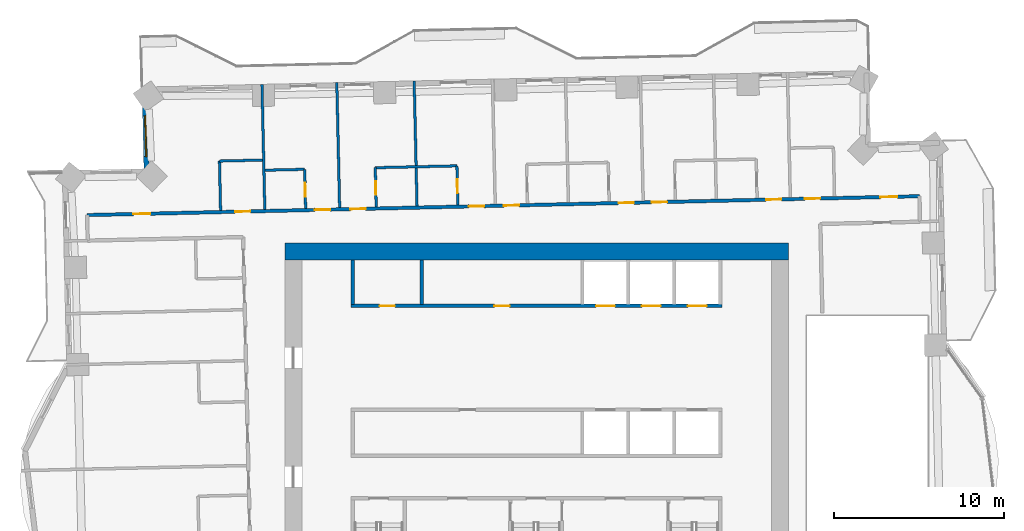
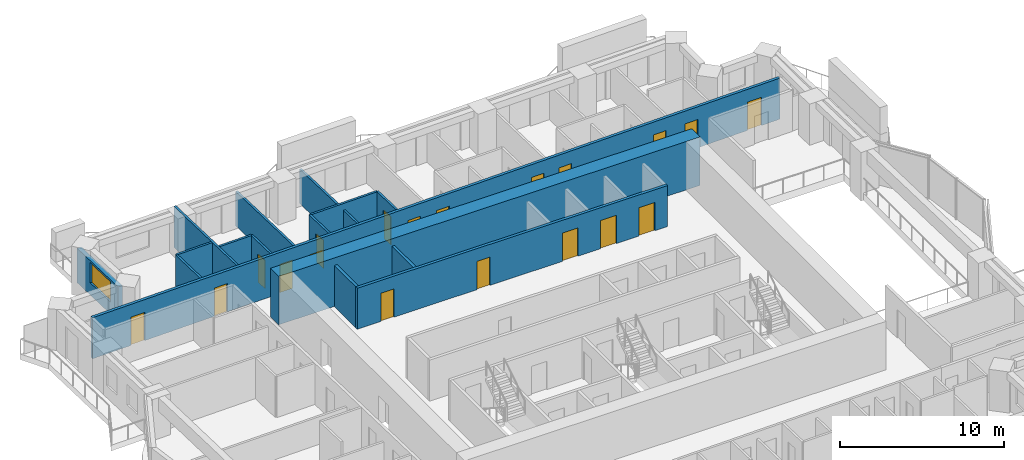
# One storey, part 10 of 16: 19 doors, 16 walls, 1 window, 20 openings.
"""IFC4 building model written with IfcOpenShell, lengths in metres."""

from ifc_helpers import new_model, si_unit, direction, frame, frame_2d, origin, place, context, subcontext, project, spatial, rectangle, extrude, material, layer, layer_set, type_object, element, fill, save


model = new_model("IFC4")

# Units and contexts
model_context = context("Model", 3, precision=1e-05, world=origin(), true_north=direction((0.0, 1.0)))
body_context = subcontext(model_context, "Body", "Model", "MODEL_VIEW")
ifc_project = project(units=[si_unit("LENGTHUNIT", "METRE"), si_unit("AREAUNIT", "SQUARE_METRE"), si_unit("VOLUMEUNIT", "CUBIC_METRE"), si_unit("PLANEANGLEUNIT", "RADIAN"), si_unit("MASSUNIT", "GRAM", prefix="KILO")], contexts=[model_context])

# Site, building, storey
site_placement = place(None, origin())
site = spatial("IfcSite", under=ifc_project, at=site_placement, CompositionType="ELEMENT")
building_placement = place(site_placement, origin())
building = spatial("IfcBuilding", under=site, at=building_placement, Name="Mangrove Gate Tower", CompositionType="ELEMENT")
storey_placement = place(building_placement, frame((0.0, 0.0, 133.699951171875)))
storey = spatial("IfcBuildingStorey", under=building, at=storey_placement, Name="L33", CompositionType="ELEMENT", Elevation=133.699951171875)

# Walls
ifc_material_1 = material(Name="Concrete C32/40", Category="concrete")
ifc_layer_1 = layer(ifc_material_1, 0.199951171875)
ifc_layer_set_1 = layer_set([ifc_layer_1], Name="Core room wall 200 C32/40")
wall_type_1 = type_object("IfcWallType", Name="Core room wall 200 C32/40", PredefinedType="STANDARD", material=ifc_layer_set_1)
for number, where, z_axis, x_axis, name in (
    (1, (-10.800048828125, 8.199951171875, 0.0), (0.0, 0.0, 1.0), (0.0, 1.0, 0.0), "WALL-L33-CORE-24"),
    (2, (-6.75, 8.199951171875, 0.0), (0.0, 0.0, 1.0), (0.0, 1.0, 0.0), "WALL-L33-CORE-25"),
):
    element("IfcWall", number, at=place(storey_placement, frame(where, z_axis=z_axis, x_axis=x_axis)), inside=storey, type_object=wall_type_1, Name=name, PredefinedType="STANDARD", context=body_context, shape_type="SweptSolid", body=[
        extrude(rectangle(XDim=2.60009765625, YDim=0.199951171875, at=frame_2d((1.300048828125, 0.0))), origin(), (0.0, 0.0, 1.0), 3.050048828125),
    ])

# Wall, openings, doors
ifc_material_2 = material(Name="Concrete C70/85", Category="concrete")
ifc_layer_2 = layer(ifc_material_2, 0.199951171875)
ifc_layer_set_2 = layer_set([ifc_layer_2], Name="Core shaft wall 200 C70/85")
wall_type_2 = type_object("IfcWallType", Name="Core shaft wall 200 C70/85", PredefinedType="SHEAR", material=ifc_layer_set_2)
wall_1_placement = place(storey_placement, frame((-10.89990234375, 8.10009765625, 0.0), z_axis=(0.0, 0.0, 1.0), x_axis=(1.0, 0.0, 0.0)))
wall_1 = element("IfcWall", 3, at=wall_1_placement, inside=storey, type_object=wall_type_2, Name="WALL-L33-CORE-8", PredefinedType="SHEAR", context=body_context, shape_type="SweptSolid", body=[
    extrude(rectangle(XDim=21.7998046875, YDim=0.199951171875, at=frame_2d((10.89990234375, 0.0))), origin(), (0.0, 0.0, 1.0), 3.050048828125),
])
opening_1_placement = place(wall_1_placement, frame((14.39990234375, 0.0, 0.0)))
opening_1 = element("IfcOpeningElement", 4, at=opening_1_placement, cuts=wall_1, Name="Opening LD", PredefinedType="OPENING", context=body_context, shape_type="SweptSolid", body=[
    extrude(rectangle(XDim=1.10009765625, YDim=2.10009765625, at=frame_2d((0.550048828125, 1.050048828125))), frame((0.0, 0.10986328125, 0.0), z_axis=(0.0, -1.0, 0.0), x_axis=(1.0, 0.0, 0.0)), (0.0, 0.0, 1.0), 0.219970703125),
])
opening_2_placement = place(wall_1_placement, frame((17.10009765625, 0.0, 0.0)))
opening_2 = element("IfcOpeningElement", 5, at=opening_2_placement, cuts=wall_1, Name="Opening LD", PredefinedType="OPENING", context=body_context, shape_type="SweptSolid", body=[
    extrude(rectangle(XDim=1.10009765625, YDim=2.10009765625, at=frame_2d((0.550048828125, 1.050048828125))), frame((0.0, 0.10986328125, 0.0), z_axis=(0.0, -1.0, 0.0), x_axis=(1.0, 0.0, 0.0)), (0.0, 0.0, 1.0), 0.219970703125),
])
opening_3_placement = place(wall_1_placement, frame((19.800048828125, 0.0, 0.0)))
opening_3 = element("IfcOpeningElement", 6, at=opening_3_placement, cuts=wall_1, Name="Opening LD", PredefinedType="OPENING", context=body_context, shape_type="SweptSolid", body=[
    extrude(rectangle(XDim=1.10009765625, YDim=2.10009765625, at=frame_2d((0.550048828125, 1.050048828125))), frame((0.0, 0.10986328125, 0.0), z_axis=(0.0, -1.0, 0.0), x_axis=(1.0, 0.0, 0.0)), (0.0, 0.0, 1.0), 0.219970703125),
])
opening_4_placement = place(wall_1_placement, frame((1.675048828125, 0.0, 0.0)))
opening_4 = element("IfcOpeningElement", 7, at=opening_4_placement, cuts=wall_1, Name="Opening KD", PredefinedType="OPENING", context=body_context, shape_type="SweptSolid", body=[
    extrude(rectangle(XDim=0.89990234375, YDim=2.10009765625, at=frame_2d((0.449951171875, 1.050048828125))), frame((0.0, 0.10986328125, 0.0), z_axis=(0.0, -1.0, 0.0), x_axis=(1.0, 0.0, 0.0)), (0.0, 0.0, 1.0), 0.219970703125),
])
opening_5_placement = place(wall_1_placement, frame((8.425048828125, 0.0, 0.0)))
opening_5 = element("IfcOpeningElement", 8, at=opening_5_placement, cuts=wall_1, Name="Opening KD", PredefinedType="OPENING", context=body_context, shape_type="SweptSolid", body=[
    extrude(rectangle(XDim=0.89990234375, YDim=2.10009765625, at=frame_2d((0.449951171875, 1.050048828125))), frame((0.0, 0.10986328125, 0.0), z_axis=(0.0, -1.0, 0.0), x_axis=(1.0, 0.0, 0.0)), (0.0, 0.0, 1.0), 0.219970703125),
])
ifc_material_3 = material(Name="Fire-rated steel door set", Category="steel")
door_type_1 = type_object("IfcDoorType", Name="Core room door FD30S 900x2100", OperationType="SINGLE_SWING_RIGHT", PredefinedType="DOOR", material=ifc_material_3)
door_1_placement = place(opening_4_placement, origin())
door_1 = element("IfcDoor", 9, at=door_1_placement, inside=storey, type_object=door_type_1, Name="Core room door Pantry store", OperationType="SINGLE_SWING_RIGHT", OverallHeight=2.10009765625, OverallWidth=0.89990234375, PredefinedType="DOOR", context=body_context, shape_type="SweptSolid", body=[
    extrude(rectangle(XDim=0.89990234375, YDim=2.10009765625, at=frame_2d((0.449951171875, 1.050048828125))), frame((0.0, 0.02490234375, 0.0), z_axis=(0.0, -1.0, 0.0), x_axis=(1.0, 0.0, 0.0)), (0.0, 0.0, 1.0), 0.050048828125),
])
fill(opening_4, door_1)
door_2_placement = place(opening_5_placement, origin())
door_2 = element("IfcDoor", 10, at=door_2_placement, inside=storey, type_object=door_type_1, Name="Core room door Cleaner's store", OperationType="SINGLE_SWING_RIGHT", OverallHeight=2.10009765625, OverallWidth=0.89990234375, PredefinedType="DOOR", context=body_context, shape_type="SweptSolid", body=[
    extrude(rectangle(XDim=0.89990234375, YDim=2.10009765625, at=frame_2d((0.449951171875, 1.050048828125))), frame((0.0, 0.02490234375, 0.0), z_axis=(0.0, -1.0, 0.0), x_axis=(1.0, 0.0, 0.0)), (0.0, 0.0, 1.0), 0.050048828125),
])
fill(opening_5, door_2)
ifc_material_4 = material(Name="Stainless steel 316", Category="steel")
door_type_2 = type_object("IfcDoorType", Name="Lift landing door 1100x2100", OperationType="SLIDING_TO_LEFT", PredefinedType="DOOR", material=ifc_material_4)
door_3_placement = place(opening_1_placement, origin())
door_3 = element("IfcDoor", 11, at=door_3_placement, inside=storey, type_object=door_type_2, Name="Landing door LD M04", OperationType="SLIDING_TO_LEFT", OverallHeight=2.10009765625, OverallWidth=1.10009765625, PredefinedType="DOOR", context=body_context, shape_type="SweptSolid", body=[
    extrude(rectangle(XDim=1.10009765625, YDim=2.10009765625, at=frame_2d((0.550048828125, 1.050048828125))), frame((0.0, 0.02490234375, 0.0), z_axis=(0.0, -1.0, 0.0), x_axis=(1.0, 0.0, 0.0)), (0.0, 0.0, 1.0), 0.050048828125),
])
fill(opening_1, door_3)
door_4_placement = place(opening_2_placement, origin())
door_4 = element("IfcDoor", 12, at=door_4_placement, inside=storey, type_object=door_type_2, Name="Landing door LD M05", OperationType="SLIDING_TO_LEFT", OverallHeight=2.10009765625, OverallWidth=1.10009765625, PredefinedType="DOOR", context=body_context, shape_type="SweptSolid", body=[
    extrude(rectangle(XDim=1.10009765625, YDim=2.10009765625, at=frame_2d((0.550048828125, 1.050048828125))), frame((0.0, 0.02490234375, 0.0), z_axis=(0.0, -1.0, 0.0), x_axis=(1.0, 0.0, 0.0)), (0.0, 0.0, 1.0), 0.050048828125),
])
fill(opening_2, door_4)
door_5_placement = place(opening_3_placement, origin())
door_5 = element("IfcDoor", 13, at=door_5_placement, inside=storey, type_object=door_type_2, Name="Landing door LD M06", OperationType="SLIDING_TO_LEFT", OverallHeight=2.10009765625, OverallWidth=1.10009765625, PredefinedType="DOOR", context=body_context, shape_type="SweptSolid", body=[
    extrude(rectangle(XDim=1.10009765625, YDim=2.10009765625, at=frame_2d((0.550048828125, 1.050048828125))), frame((0.0, 0.02490234375, 0.0), z_axis=(0.0, -1.0, 0.0), x_axis=(1.0, 0.0, 0.0)), (0.0, 0.0, 1.0), 0.050048828125),
])
fill(opening_3, door_5)

# Wall
ifc_material_5 = material(Name="Concrete C70/85", Category="concrete")
ifc_layer_3 = layer(ifc_material_5, 1.0)
ifc_layer_set_3 = layer_set([ifc_layer_3], Name="Core wall 1000 C70/85")
wall_type_3 = type_object("IfcWallType", Name="Core wall 1000 C70/85", PredefinedType="SHEAR", material=ifc_layer_set_3)
wall_2_placement = place(storey_placement, frame((-14.800048828125, 11.300048828125, 0.0), z_axis=(0.0, 0.0, 1.0), x_axis=(1.0, 0.0, 0.0)))
element("IfcWall", 14, at=wall_2_placement, inside=storey, type_object=wall_type_3, Name="WALL-L33-CORE-2", PredefinedType="SHEAR", context=body_context, shape_type="SweptSolid", body=[
    extrude(rectangle(XDim=29.60009765625, YDim=1.0, at=frame_2d((14.800048828125, 0.0))), origin(), (0.0, 0.0, 1.0), 3.60009765625),
])

# Wall, openings, doors
ifc_material_6 = material(Name="Gypsum board on steel stud, EI 60", Category="steel")
ifc_layer_4 = layer(ifc_material_6, 0.199951171875)
ifc_layer_set_4 = layer_set([ifc_layer_4], Name="Corridor wall EI 60")
wall_type_4 = type_object("IfcWallType", Name="Corridor wall EI 60", PredefinedType="PARTITIONING", material=ifc_layer_set_4)
wall_3_placement = place(storey_placement, frame((-26.4208984375, 13.44091796875, 0.0), z_axis=(0.0, 0.0, 1.0), x_axis=(0.999742754064, 0.022680954485, 0.0)))
wall_3 = element("IfcWall", 15, at=wall_3_placement, inside=storey, type_object=wall_type_4, Name="WALL-L33-060", PredefinedType="PARTITIONING", context=body_context, shape_type="SweptSolid", body=[
    extrude(rectangle(XDim=48.944580078125, YDim=0.199951171875, at=frame_2d((24.47216796875, 0.0))), origin(), (0.0, 0.0, 1.0), 3.050048828125),
])
opening_6_placement = place(wall_3_placement, frame((46.64697265625, 0.0, 0.0)))
opening_6 = element("IfcOpeningElement", 16, at=opening_6_placement, cuts=wall_3, Name="Opening AD", PredefinedType="OPENING", context=body_context, shape_type="SweptSolid", body=[
    extrude(rectangle(XDim=1.0, YDim=2.10009765625, at=frame_2d((0.5, 1.050048828125))), frame((0.0, 0.10986328125, 0.0), z_axis=(0.0, -1.0, 0.0), x_axis=(1.0, 0.0, 0.0)), (0.0, 0.0, 1.0), 0.219970703125),
])
opening_7_placement = place(wall_3_placement, frame((42.199951171875, 0.0, 0.0)))
opening_7 = element("IfcOpeningElement", 17, at=opening_7_placement, cuts=wall_3, Name="Opening SD", PredefinedType="OPENING", context=body_context, shape_type="SweptSolid", body=[
    extrude(rectangle(XDim=0.89990234375, YDim=2.10009765625, at=frame_2d((0.449951171875, 1.050048828125))), frame((0.0, 0.10986328125, 0.0), z_axis=(0.0, -1.0, 0.0), x_axis=(1.0, 0.0, 0.0)), (0.0, 0.0, 1.0), 0.219970703125),
])
opening_8_placement = place(wall_3_placement, frame((39.925048828125, 0.0, 0.0)))
opening_8 = element("IfcOpeningElement", 18, at=opening_8_placement, cuts=wall_3, Name="Opening BD", PredefinedType="OPENING", context=body_context, shape_type="SweptSolid", body=[
    extrude(rectangle(XDim=0.89990234375, YDim=2.10009765625, at=frame_2d((0.449951171875, 1.050048828125))), frame((0.0, 0.10986328125, 0.0), z_axis=(0.0, -1.0, 0.0), x_axis=(1.0, 0.0, 0.0)), (0.0, 0.0, 1.0), 0.219970703125),
])
opening_9_placement = place(wall_3_placement, frame((33.199951171875, 0.0, 0.0)))
opening_9 = element("IfcOpeningElement", 19, at=opening_9_placement, cuts=wall_3, Name="Opening BD", PredefinedType="OPENING", context=body_context, shape_type="SweptSolid", body=[
    extrude(rectangle(XDim=0.89990234375, YDim=2.10009765625, at=frame_2d((0.449951171875, 1.050048828125))), frame((0.0, 0.10986328125, 0.0), z_axis=(0.0, -1.0, 0.0), x_axis=(1.0, 0.0, 0.0)), (0.0, 0.0, 1.0), 0.219970703125),
])
opening_10_placement = place(wall_3_placement, frame((31.25, 0.0, 0.0)))
opening_10 = element("IfcOpeningElement", 20, at=opening_10_placement, cuts=wall_3, Name="Opening BD", PredefinedType="OPENING", context=body_context, shape_type="SweptSolid", body=[
    extrude(rectangle(XDim=0.89990234375, YDim=2.10009765625, at=frame_2d((0.449951171875, 1.050048828125))), frame((0.0, 0.10986328125, 0.0), z_axis=(0.0, -1.0, 0.0), x_axis=(1.0, 0.0, 0.0)), (0.0, 0.0, 1.0), 0.219970703125),
])
opening_11_placement = place(wall_3_placement, frame((24.5, 0.0, 0.0)))
opening_11 = element("IfcOpeningElement", 21, at=opening_11_placement, cuts=wall_3, Name="Opening BD", PredefinedType="OPENING", context=body_context, shape_type="SweptSolid", body=[
    extrude(rectangle(XDim=0.89990234375, YDim=2.10009765625, at=frame_2d((0.449951171875, 1.050048828125))), frame((0.0, 0.10986328125, 0.0), z_axis=(0.0, -1.0, 0.0), x_axis=(1.0, 0.0, 0.0)), (0.0, 0.0, 1.0), 0.219970703125),
])
opening_12_placement = place(wall_3_placement, frame((22.449951171875, 0.0, 0.0)))
opening_12 = element("IfcOpeningElement", 22, at=opening_12_placement, cuts=wall_3, Name="Opening BD", PredefinedType="OPENING", context=body_context, shape_type="SweptSolid", body=[
    extrude(rectangle(XDim=0.89990234375, YDim=2.10009765625, at=frame_2d((0.449951171875, 1.050048828125))), frame((0.0, 0.10986328125, 0.0), z_axis=(0.0, -1.0, 0.0), x_axis=(1.0, 0.0, 0.0)), (0.0, 0.0, 1.0), 0.219970703125),
])
opening_13_placement = place(wall_3_placement, frame((15.47509765625, 0.0, 0.0)))
opening_13 = element("IfcOpeningElement", 23, at=opening_13_placement, cuts=wall_3, Name="Opening BD", PredefinedType="OPENING", context=body_context, shape_type="SweptSolid", body=[
    extrude(rectangle(XDim=0.89990234375, YDim=2.10009765625, at=frame_2d((0.449951171875, 1.050048828125))), frame((0.0, 0.10986328125, 0.0), z_axis=(0.0, -1.0, 0.0), x_axis=(1.0, 0.0, 0.0)), (0.0, 0.0, 1.0), 0.219970703125),
])
opening_14_placement = place(wall_3_placement, frame((13.39990234375, 0.0, 0.0)))
opening_14 = element("IfcOpeningElement", 24, at=opening_14_placement, cuts=wall_3, Name="Opening BD", PredefinedType="OPENING", context=body_context, shape_type="SweptSolid", body=[
    extrude(rectangle(XDim=0.89990234375, YDim=2.10009765625, at=frame_2d((0.449951171875, 1.050048828125))), frame((0.0, 0.10986328125, 0.0), z_axis=(0.0, -1.0, 0.0), x_axis=(1.0, 0.0, 0.0)), (0.0, 0.0, 1.0), 0.219970703125),
])
opening_15_placement = place(wall_3_placement, frame((2.72509765625, 0.0, 0.0)))
opening_15 = element("IfcOpeningElement", 25, at=opening_15_placement, cuts=wall_3, Name="Opening AD", PredefinedType="OPENING", context=body_context, shape_type="SweptSolid", body=[
    extrude(rectangle(XDim=1.0, YDim=2.10009765625, at=frame_2d((0.5, 1.050048828125))), frame((0.0, 0.10986328125, 0.0), z_axis=(0.0, -1.0, 0.0), x_axis=(1.0, 0.0, 0.0)), (0.0, 0.0, 1.0), 0.219970703125),
])
opening_16_placement = place(wall_3_placement, frame((8.699951171875, 0.0, 0.0)))
opening_16 = element("IfcOpeningElement", 26, at=opening_16_placement, cuts=wall_3, Name="Opening SD", PredefinedType="OPENING", context=body_context, shape_type="SweptSolid", body=[
    extrude(rectangle(XDim=0.89990234375, YDim=2.10009765625, at=frame_2d((0.449951171875, 1.050048828125))), frame((0.0, 0.10986328125, 0.0), z_axis=(0.0, -1.0, 0.0), x_axis=(1.0, 0.0, 0.0)), (0.0, 0.0, 1.0), 0.219970703125),
])
ifc_material_7 = material(Name="Timber door leaf", Category="wood")
door_type_3 = type_object("IfcDoorType", Name="Amenity door 1000", OperationType="SINGLE_SWING_LEFT", PredefinedType="DOOR", material=ifc_material_7)
door_6_placement = place(opening_6_placement, origin())
door_6 = element("IfcDoor", 27, at=door_6_placement, inside=storey, type_object=door_type_3, Name="DOOR-L33-KIT-c3b", OperationType="SINGLE_SWING_RIGHT", OverallHeight=2.10009765625, OverallWidth=1.0, PredefinedType="DOOR", context=body_context, shape_type="SweptSolid", body=[
    extrude(rectangle(XDim=1.0, YDim=2.10009765625, at=frame_2d((0.5, 1.050048828125))), frame((0.0, 0.02490234375, 0.0), z_axis=(0.0, -1.0, 0.0), x_axis=(1.0, 0.0, 0.0)), (0.0, 0.0, 1.0), 0.050048828125),
])
fill(opening_6, door_6)
door_7_placement = place(opening_15_placement, origin())
door_7 = element("IfcDoor", 28, at=door_7_placement, inside=storey, type_object=door_type_3, Name="DOOR-L33-LNG-c5a", OperationType="SINGLE_SWING_LEFT", OverallHeight=2.10009765625, OverallWidth=1.0, PredefinedType="DOOR", context=body_context, shape_type="SweptSolid", body=[
    extrude(rectangle(XDim=1.0, YDim=2.10009765625, at=frame_2d((0.5, 1.050048828125))), frame((0.0, 0.02490234375, 0.0), z_axis=(0.0, -1.0, 0.0), x_axis=(1.0, 0.0, 0.0)), (0.0, 0.0, 1.0), 0.050048828125),
])
fill(opening_15, door_7)
ifc_material_8 = material(Name="Timber door leaf", Category="wood")
door_type_4 = type_object("IfcDoorType", Name="Bedroom door 900", OperationType="SINGLE_SWING_LEFT", PredefinedType="DOOR", material=ifc_material_8)
door_8_placement = place(opening_8_placement, origin())
door_8 = element("IfcDoor", 29, at=door_8_placement, inside=storey, type_object=door_type_4, Name="DOOR-L33-BED-c309", OperationType="SINGLE_SWING_LEFT", OverallHeight=2.10009765625, OverallWidth=0.89990234375, PredefinedType="DOOR", context=body_context, shape_type="SweptSolid", body=[
    extrude(rectangle(XDim=0.89990234375, YDim=2.10009765625, at=frame_2d((0.449951171875, 1.050048828125))), frame((0.0, 0.02490234375, 0.0), z_axis=(0.0, -1.0, 0.0), x_axis=(1.0, 0.0, 0.0)), (0.0, 0.0, 1.0), 0.050048828125),
])
fill(opening_8, door_8)
door_9_placement = place(opening_9_placement, origin())
door_9 = element("IfcDoor", 30, at=door_9_placement, inside=storey, type_object=door_type_4, Name="DOOR-L33-BED-c410", OperationType="SINGLE_SWING_RIGHT", OverallHeight=2.10009765625, OverallWidth=0.89990234375, PredefinedType="DOOR", context=body_context, shape_type="SweptSolid", body=[
    extrude(rectangle(XDim=0.89990234375, YDim=2.10009765625, at=frame_2d((0.449951171875, 1.050048828125))), frame((0.0, 0.02490234375, 0.0), z_axis=(0.0, -1.0, 0.0), x_axis=(1.0, 0.0, 0.0)), (0.0, 0.0, 1.0), 0.050048828125),
])
fill(opening_9, door_9)
door_10_placement = place(opening_10_placement, origin())
door_10 = element("IfcDoor", 31, at=door_10_placement, inside=storey, type_object=door_type_4, Name="DOOR-L33-BED-c411", OperationType="SINGLE_SWING_LEFT", OverallHeight=2.10009765625, OverallWidth=0.89990234375, PredefinedType="DOOR", context=body_context, shape_type="SweptSolid", body=[
    extrude(rectangle(XDim=0.89990234375, YDim=2.10009765625, at=frame_2d((0.449951171875, 1.050048828125))), frame((0.0, 0.02490234375, 0.0), z_axis=(0.0, -1.0, 0.0), x_axis=(1.0, 0.0, 0.0)), (0.0, 0.0, 1.0), 0.050048828125),
])
fill(opening_10, door_10)
door_11_placement = place(opening_11_placement, origin())
door_11 = element("IfcDoor", 32, at=door_11_placement, inside=storey, type_object=door_type_4, Name="DOOR-L33-BED-c412", OperationType="SINGLE_SWING_RIGHT", OverallHeight=2.10009765625, OverallWidth=0.89990234375, PredefinedType="DOOR", context=body_context, shape_type="SweptSolid", body=[
    extrude(rectangle(XDim=0.89990234375, YDim=2.10009765625, at=frame_2d((0.449951171875, 1.050048828125))), frame((0.0, 0.02490234375, 0.0), z_axis=(0.0, -1.0, 0.0), x_axis=(1.0, 0.0, 0.0)), (0.0, 0.0, 1.0), 0.050048828125),
])
fill(opening_11, door_11)
door_12_placement = place(opening_12_placement, origin())
door_12 = element("IfcDoor", 33, at=door_12_placement, inside=storey, type_object=door_type_4, Name="DOOR-L33-BED-c513", OperationType="SINGLE_SWING_LEFT", OverallHeight=2.10009765625, OverallWidth=0.89990234375, PredefinedType="DOOR", context=body_context, shape_type="SweptSolid", body=[
    extrude(rectangle(XDim=0.89990234375, YDim=2.10009765625, at=frame_2d((0.449951171875, 1.050048828125))), frame((0.0, 0.02490234375, 0.0), z_axis=(0.0, -1.0, 0.0), x_axis=(1.0, 0.0, 0.0)), (0.0, 0.0, 1.0), 0.050048828125),
])
fill(opening_12, door_12)
door_13_placement = place(opening_13_placement, origin())
door_13 = element("IfcDoor", 34, at=door_13_placement, inside=storey, type_object=door_type_4, Name="DOOR-L33-BED-c514", OperationType="SINGLE_SWING_RIGHT", OverallHeight=2.10009765625, OverallWidth=0.89990234375, PredefinedType="DOOR", context=body_context, shape_type="SweptSolid", body=[
    extrude(rectangle(XDim=0.89990234375, YDim=2.10009765625, at=frame_2d((0.449951171875, 1.050048828125))), frame((0.0, 0.02490234375, 0.0), z_axis=(0.0, -1.0, 0.0), x_axis=(1.0, 0.0, 0.0)), (0.0, 0.0, 1.0), 0.050048828125),
])
fill(opening_13, door_13)
door_14_placement = place(opening_14_placement, origin())
door_14 = element("IfcDoor", 35, at=door_14_placement, inside=storey, type_object=door_type_4, Name="DOOR-L33-BED-c515", OperationType="SINGLE_SWING_LEFT", OverallHeight=2.10009765625, OverallWidth=0.89990234375, PredefinedType="DOOR", context=body_context, shape_type="SweptSolid", body=[
    extrude(rectangle(XDim=0.89990234375, YDim=2.10009765625, at=frame_2d((0.449951171875, 1.050048828125))), frame((0.0, 0.02490234375, 0.0), z_axis=(0.0, -1.0, 0.0), x_axis=(1.0, 0.0, 0.0)), (0.0, 0.0, 1.0), 0.050048828125),
])
fill(opening_14, door_14)
ifc_material_9 = material(Name="Timber door leaf", Category="wood")
door_type_5 = type_object("IfcDoorType", Name="Service room door 900", OperationType="SINGLE_SWING_LEFT", PredefinedType="DOOR", material=ifc_material_9)
door_15_placement = place(opening_7_placement, origin())
door_15 = element("IfcDoor", 36, at=door_15_placement, inside=storey, type_object=door_type_5, Name="DOOR-L33-AWC-c3a", OperationType="SINGLE_SWING_LEFT", OverallHeight=2.10009765625, OverallWidth=0.89990234375, PredefinedType="DOOR", context=body_context, shape_type="SweptSolid", body=[
    extrude(rectangle(XDim=0.89990234375, YDim=2.10009765625, at=frame_2d((0.449951171875, 1.050048828125))), frame((0.0, 0.02490234375, 0.0), z_axis=(0.0, -1.0, 0.0), x_axis=(1.0, 0.0, 0.0)), (0.0, 0.0, 1.0), 0.050048828125),
])
fill(opening_7, door_15)
door_16_placement = place(opening_16_placement, origin())
door_16 = element("IfcDoor", 37, at=door_16_placement, inside=storey, type_object=door_type_5, Name="DOOR-L33-AWC-c5a", OperationType="SINGLE_SWING_RIGHT", OverallHeight=2.10009765625, OverallWidth=0.89990234375, PredefinedType="DOOR", context=body_context, shape_type="SweptSolid", body=[
    extrude(rectangle(XDim=0.89990234375, YDim=2.10009765625, at=frame_2d((0.449951171875, 1.050048828125))), frame((0.0, 0.02490234375, 0.0), z_axis=(0.0, -1.0, 0.0), x_axis=(1.0, 0.0, 0.0)), (0.0, 0.0, 1.0), 0.050048828125),
])
fill(opening_16, door_16)

# Wall, opening, window
ifc_material_10 = material(Name="Limestone", Category="masonry")
ifc_layer_5 = layer(ifc_material_10, 0.0400390625, Name="Limestone cladding")
ifc_material_11 = material(Name="Ventilated air gap")
ifc_layer_6 = layer(ifc_material_11, 0.0400390625, Name="Ventilated cavity")
ifc_material_12 = material(Name="Mineral wool insulation")
ifc_layer_7 = layer(ifc_material_12, 0.06005859375, Name="Insulation")
ifc_material_13 = material(Name="Breather membrane")
ifc_layer_8 = layer(ifc_material_13, 0.001953125, Name="Breather membrane")
ifc_material_14 = material(Name="Concrete C20/25 blockwork", Category="masonry")
ifc_layer_9 = layer(ifc_material_14, 0.14990234375, Name="Blockwork backing wall")
ifc_material_15 = material(Name="Gypsum plaster")
ifc_layer_10 = layer(ifc_material_15, 0.008056640625, Name="Internal plaster")
ifc_layer_set_5 = layer_set([ifc_layer_5, ifc_layer_6, ifc_layer_7, ifc_layer_8, ifc_layer_9, ifc_layer_10], Name="External wall 300 limestone cladding")
wall_type_5 = type_object("IfcWallType", Name="External wall 300 limestone cladding", PredefinedType="SOLIDWALL", material=ifc_layer_set_5)
wall_4_placement = place(storey_placement, frame((-23.037109375, 20.819091796875, 0.0), z_axis=(0.0, 0.0, 1.0), x_axis=(0.022738738327, -0.999741441463, 0.0)))
wall_4 = element("IfcWall", 38, at=wall_4_placement, inside=storey, type_object=wall_type_5, Name="WALL-L33-W6", PredefinedType="SOLIDWALL", context=body_context, shape_type="SweptSolid", body=[
    extrude(rectangle(XDim=4.79931640625, YDim=0.300048828125, at=frame_2d((2.399658203125, 0.0))), origin(), (0.0, 0.0, 1.0), 2.550048828125),
])
opening_17_placement = place(wall_4_placement, frame((1.541015625, 0.0, 0.89990234375)))
opening_17 = element("IfcOpeningElement", 39, at=opening_17_placement, cuts=wall_4, Name="Opening W2", PredefinedType="OPENING", context=body_context, shape_type="SweptSolid", body=[
    extrude(rectangle(XDim=2.39990234375, YDim=1.5, at=frame_2d((1.199951171875, 0.75))), frame((0.0, 0.159912109375, 0.0), z_axis=(0.0, -1.0, 0.0), x_axis=(1.0, 0.0, 0.0)), (0.0, 0.0, 1.0), 0.320068359375),
])
ifc_material_16 = material(Name="Aluminium frame with double-glazed low-e glass", Category="aluminium")
window_type = type_object("IfcWindowType", Name="Corner room window 2400x1500", PartitioningType="DOUBLE_PANEL_VERTICAL", PredefinedType="WINDOW", material=ifc_material_16)
window_placement = place(opening_17_placement, origin())
window = element("IfcWindow", 40, at=window_placement, inside=storey, type_object=window_type, Name="WIN-L33-W6-1", OverallHeight=1.5, OverallWidth=2.39990234375, PartitioningType="DOUBLE_PANEL_VERTICAL", PredefinedType="WINDOW", context=body_context, shape_type="SweptSolid", body=[
    extrude(rectangle(XDim=2.39990234375, YDim=1.5, at=frame_2d((1.199951171875, 0.75))), frame((0.0, 0.030029296875, 0.0), z_axis=(0.0, -1.0, 0.0), x_axis=(1.0, 0.0, 0.0)), (0.0, 0.0, 1.0), 0.06005859375),
])
fill(opening_17, window)

# Walls
ifc_material_17 = material(Name="Gypsum board on steel stud, EI 60", Category="steel")
ifc_layer_11 = layer(ifc_material_17, 0.14990234375)
ifc_layer_set_6 = layer_set([ifc_layer_11], Name="Party wall 150 EI 60")
wall_type_6 = type_object("IfcWallType", Name="Party wall 150 EI 60", PredefinedType="PARTITIONING", material=ifc_layer_set_6)
wall_5_placement = place(storey_placement, frame((-18.572998046875, 13.718994140625, 0.0), z_axis=(0.0, 0.0, 1.0), x_axis=(-0.022732880677, 0.999741574676, 0.0)))
element("IfcWall", 41, at=wall_5_placement, inside=storey, type_object=wall_type_6, Name="WALL-L33-061", PredefinedType="PARTITIONING", context=body_context, shape_type="SweptSolid", body=[
    extrude(rectangle(XDim=2.899658203125, YDim=0.14990234375, at=frame_2d((1.44970703125, 0.0))), origin(), (0.0, 0.0, 1.0), 3.050048828125),
])
wall_6_placement = place(storey_placement, frame((-15.97412109375, 13.778076171875, 0.0), z_axis=(0.0, 0.0, 1.0), x_axis=(-0.022554648976, 0.999745611548, 0.0)))
element("IfcWall", 42, at=wall_6_placement, inside=storey, type_object=wall_type_6, Name="WALL-L33-062", PredefinedType="PARTITIONING", context=body_context, shape_type="SweptSolid", body=[
    extrude(rectangle(XDim=7.349853515625, YDim=0.14990234375, at=frame_2d((3.6748046875, 0.0))), origin(), (0.0, 0.0, 1.0), 3.050048828125),
])

# Wall, opening, door
wall_7_placement = place(storey_placement, frame((-13.573974609375, 13.83203125, 0.0), z_axis=(0.0, 0.0, 1.0), x_axis=(-0.023027540424, 0.999734831034, 0.0)))
wall_7 = element("IfcWall", 43, at=wall_7_placement, inside=storey, type_object=wall_type_6, Name="WALL-L33-063", PredefinedType="PARTITIONING", context=body_context, shape_type="SweptSolid", body=[
    extrude(rectangle(XDim=2.300537109375, YDim=0.14990234375, at=frame_2d((1.150390625, 0.0))), origin(), (0.0, 0.0, 1.0), 3.050048828125),
])
opening_18_placement = place(wall_7_placement, frame((0.699951171875, 0.0, 0.0)))
opening_18 = element("IfcOpeningElement", 44, at=opening_18_placement, cuts=wall_7, Name="Opening ED", PredefinedType="OPENING", context=body_context, shape_type="SweptSolid", body=[
    extrude(rectangle(XDim=0.800048828125, YDim=2.10009765625, at=frame_2d((0.39990234375, 1.050048828125))), frame((0.0, 0.0849609375, 0.0), z_axis=(0.0, -1.0, 0.0), x_axis=(1.0, 0.0, 0.0)), (0.0, 0.0, 1.0), 0.169921875),
])
ifc_material_18 = material(Name="Timber door leaf", Category="wood")
door_type_6 = type_object("IfcDoorType", Name="En-suite door 800", OperationType="SINGLE_SWING_LEFT", PredefinedType="DOOR", material=ifc_material_18)
door_17_placement = place(opening_18_placement, origin())
door_17 = element("IfcDoor", 45, at=door_17_placement, inside=storey, type_object=door_type_6, Name="DOOR-L33-ENS-c515", OperationType="SINGLE_SWING_LEFT", OverallHeight=2.10009765625, OverallWidth=0.800048828125, PredefinedType="DOOR", context=body_context, shape_type="SweptSolid", body=[
    extrude(rectangle(XDim=0.800048828125, YDim=2.10009765625, at=frame_2d((0.39990234375, 1.050048828125))), frame((0.0, 0.02490234375, 0.0), z_axis=(0.0, -1.0, 0.0), x_axis=(1.0, 0.0, 0.0)), (0.0, 0.0, 1.0), 0.050048828125),
])
fill(opening_18, door_17)

# Wall
wall_8_placement = place(storey_placement, frame((-11.574951171875, 13.8779296875, 0.0), z_axis=(0.0, 0.0, 1.0), x_axis=(-0.022719896304, 0.99974186984, 0.0)))
element("IfcWall", 46, at=wall_8_placement, inside=storey, type_object=wall_type_6, Name="WALL-L33-064", PredefinedType="PARTITIONING", context=body_context, shape_type="SweptSolid", body=[
    extrude(rectangle(XDim=7.35009765625, YDim=0.14990234375, at=frame_2d((3.675048828125, 0.0))), origin(), (0.0, 0.0, 1.0), 2.550048828125),
])

# Wall, opening, door
wall_9_placement = place(storey_placement, frame((-9.425048828125, 13.926025390625, 0.0), z_axis=(0.0, 0.0, 1.0), x_axis=(-0.023027540424, 0.999734831034, 0.0)))
wall_9 = element("IfcWall", 47, at=wall_9_placement, inside=storey, type_object=wall_type_6, Name="WALL-L33-065", PredefinedType="PARTITIONING", context=body_context, shape_type="SweptSolid", body=[
    extrude(rectangle(XDim=2.300537109375, YDim=0.14990234375, at=frame_2d((1.150390625, 0.0))), origin(), (0.0, 0.0, 1.0), 3.050048828125),
])
opening_19_placement = place(wall_9_placement, frame((0.699951171875, 0.0, 0.0)))
opening_19 = element("IfcOpeningElement", 48, at=opening_19_placement, cuts=wall_9, Name="Opening ED", PredefinedType="OPENING", context=body_context, shape_type="SweptSolid", body=[
    extrude(rectangle(XDim=0.800048828125, YDim=2.10009765625, at=frame_2d((0.39990234375, 1.050048828125))), frame((0.0, 0.0849609375, 0.0), z_axis=(0.0, -1.0, 0.0), x_axis=(1.0, 0.0, 0.0)), (0.0, 0.0, 1.0), 0.169921875),
])
door_18_placement = place(opening_19_placement, origin())
door_18 = element("IfcDoor", 49, at=door_18_placement, inside=storey, type_object=door_type_6, Name="DOOR-L33-ENS-c514", OperationType="SINGLE_SWING_RIGHT", OverallHeight=2.10009765625, OverallWidth=0.800048828125, PredefinedType="DOOR", context=body_context, shape_type="SweptSolid", body=[
    extrude(rectangle(XDim=0.800048828125, YDim=2.10009765625, at=frame_2d((0.39990234375, 1.050048828125))), frame((0.0, 0.02490234375, 0.0), z_axis=(0.0, -1.0, 0.0), x_axis=(1.0, 0.0, 0.0)), (0.0, 0.0, 1.0), 0.050048828125),
])
fill(opening_19, door_18)

# Wall
wall_10_placement = place(storey_placement, frame((-7.02587890625, 13.98095703125, 0.0), z_axis=(0.0, 0.0, 1.0), x_axis=(-0.022753095343, 0.999741114815, 0.0)))
element("IfcWall", 50, at=wall_10_placement, inside=storey, type_object=wall_type_6, Name="WALL-L33-066", PredefinedType="PARTITIONING", context=body_context, shape_type="SweptSolid", body=[
    extrude(rectangle(XDim=7.35009765625, YDim=0.14990234375, at=frame_2d((3.675048828125, 0.0))), origin(), (0.0, 0.0, 1.0), 2.550048828125),
])

# Wall, opening, door
wall_11_placement = place(storey_placement, frame((-4.626953125, 14.034912109375, 0.0), z_axis=(0.0, 0.0, 1.0), x_axis=(-0.022603288534, 0.999744513037, 0.0)))
wall_11 = element("IfcWall", 51, at=wall_11_placement, inside=storey, type_object=wall_type_6, Name="WALL-L33-067", PredefinedType="PARTITIONING", context=body_context, shape_type="SweptSolid", body=[
    extrude(rectangle(XDim=2.300537109375, YDim=0.14990234375, at=frame_2d((1.150390625, 0.0))), origin(), (0.0, 0.0, 1.0), 3.050048828125),
])
opening_20_placement = place(wall_11_placement, frame((0.699951171875, 0.0, 0.0)))
opening_20 = element("IfcOpeningElement", 52, at=opening_20_placement, cuts=wall_11, Name="Opening ED", PredefinedType="OPENING", context=body_context, shape_type="SweptSolid", body=[
    extrude(rectangle(XDim=0.800048828125, YDim=2.10009765625, at=frame_2d((0.39990234375, 1.050048828125))), frame((0.0, 0.0849609375, 0.0), z_axis=(0.0, -1.0, 0.0), x_axis=(1.0, 0.0, 0.0)), (0.0, 0.0, 1.0), 0.169921875),
])
door_19_placement = place(opening_20_placement, origin())
door_19 = element("IfcDoor", 53, at=door_19_placement, inside=storey, type_object=door_type_6, Name="DOOR-L33-ENS-c513", OperationType="SINGLE_SWING_LEFT", OverallHeight=2.10009765625, OverallWidth=0.800048828125, PredefinedType="DOOR", context=body_context, shape_type="SweptSolid", body=[
    extrude(rectangle(XDim=0.800048828125, YDim=2.10009765625, at=frame_2d((0.39990234375, 1.050048828125))), frame((0.0, 0.02490234375, 0.0), z_axis=(0.0, -1.0, 0.0), x_axis=(1.0, 0.0, 0.0)), (0.0, 0.0, 1.0), 0.050048828125),
])
fill(opening_20, door_19)

# Walls
wall_12_placement = place(storey_placement, frame((-15.952880859375, 16.0791015625, 0.0), z_axis=(0.0, 0.0, 1.0), x_axis=(0.999740260747, 0.02279059109, 0.0)))
element("IfcWall", 54, at=wall_12_placement, inside=storey, type_object=wall_type_6, Name="WALL-L33-078", PredefinedType="PARTITIONING", context=body_context, shape_type="SweptSolid", body=[
    extrude(rectangle(XDim=2.324462890625, YDim=0.14990234375, at=frame_2d((1.162109375, 0.0))), origin(), (0.0, 0.0, 1.0), 3.050048828125),
])
wall_13_placement = place(storey_placement, frame((-9.47998046875, 16.22607421875, 0.0), z_axis=(0.0, 0.0, 1.0), x_axis=(0.999742701292, 0.022683280499, 0.0)))
element("IfcWall", 55, at=wall_13_placement, inside=storey, type_object=wall_type_6, Name="WALL-L33-079", PredefinedType="PARTITIONING", context=body_context, shape_type="SweptSolid", body=[
    extrude(rectangle(XDim=4.80029296875, YDim=0.14990234375, at=frame_2d((2.400146484375, 0.0))), origin(), (0.0, 0.0, 1.0), 3.050048828125),
])
wall_14_placement = place(storey_placement, frame((-18.64111328125, 16.617919921875, 0.0), z_axis=(0.0, 0.0, 1.0), x_axis=(0.999744175585, 0.022618209135, 0.0)))
element("IfcWall", 56, at=wall_14_placement, inside=storey, type_object=wall_type_6, Name="WALL-L33-082", PredefinedType="PARTITIONING", context=body_context, shape_type="SweptSolid", body=[
    extrude(rectangle(XDim=2.52587890625, YDim=0.14990234375, at=frame_2d((1.262939453125, 0.0))), origin(), (0.0, 0.0, 1.0), 3.050048828125),
])

save(model, "model.ifc")
